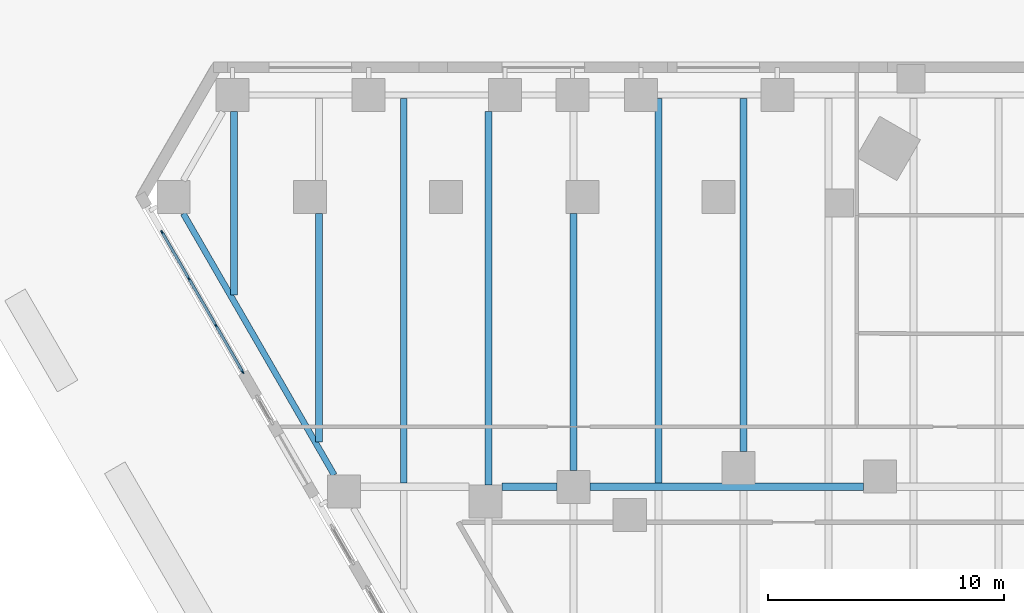
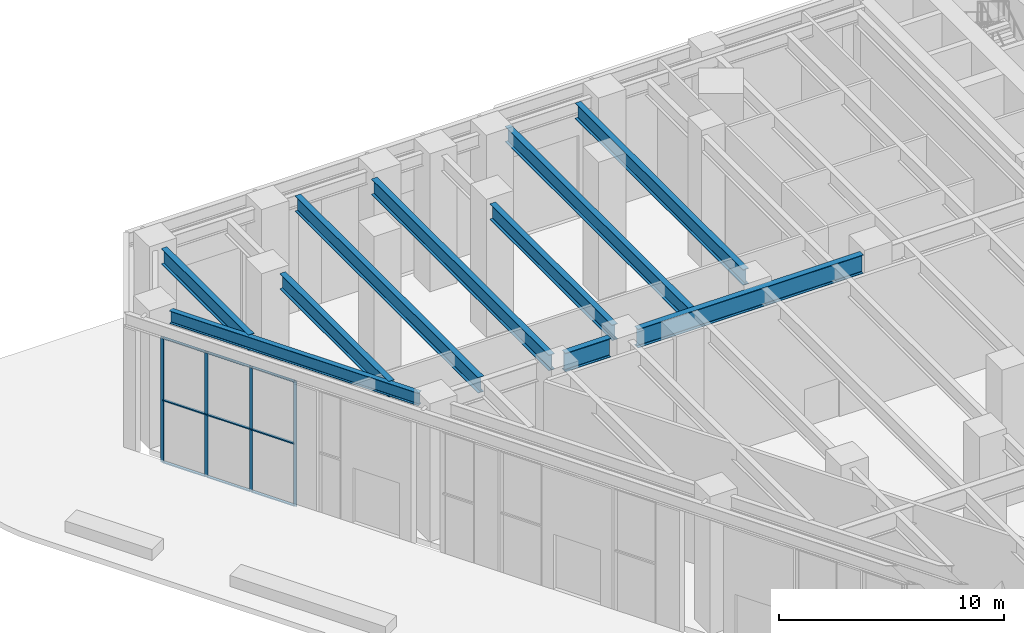
# One storey, part 12 of 37: 13 members, 10 beams, 1 element without a shape of its own.
"""IFC4 building model written with IfcOpenShell, lengths in metres."""

import ifcopenshell
import ifcopenshell.guid

model = None  # the IFC model being written
_history = None  # IfcOwnerHistory: only IFC2X3 demands one
_inside = {}  # id of a spatial element -> (the spatial element, [elements in it])
_under = {}  # id of a project, library or spatial element -> (it, [spatial elements below it])
_declared = {}  # id of a project -> (the project, [libraries it declares])
_typed = {}  # id of a type object -> (the type object, [elements of that type])
_made_of = {}  # id of a material, layer set ... -> (it, [elements and type objects made of it])


def new_model(schema):
    """Start an empty IFC model of exactly this schema.

    Asked for "IFC4X3", IfcOpenShell would pick the latest addendum, in which some entities
    have other attributes; the version numbers below select the first issue.
    IFC2X3 requires an IfcOwnerHistory on every rooted entity: one is made here for all.
    """
    global model, _history
    if schema == "IFC4X3":
        model = ifcopenshell.file(schema_version=(4, 3, 0, 0))
    else:
        model = ifcopenshell.file(schema=schema)
    _inside.clear()
    _under.clear()
    _declared.clear()
    _typed.clear()
    _made_of.clear()
    _history = None
    if model.schema == "IFC2X3":
        org = make("IfcOrganization", Name="unknown")
        user = make(
            "IfcPersonAndOrganization",
            ThePerson=make("IfcPerson", FamilyName="unknown"),
            TheOrganization=org,
        )
        app = make(
            "IfcApplication",
            ApplicationDeveloper=org,
            Version="unknown",
            ApplicationFullName="unknown",
            ApplicationIdentifier="unknown",
        )
        _history = make(
            "IfcOwnerHistory",
            OwningUser=user,
            OwningApplication=app,
            ChangeAction="ADDED",
            CreationDate=0,
        )
    return model


def make(cls, **values):
    """One entity of the class cls with the attributes given. An attribute that is None is left unset."""
    return model.create_entity(
        cls, **{name: value for name, value in values.items() if value is not None}
    )


def rooted(cls, **values):
    """An entity with a GlobalId (a new one), such as an element, a storey or a relation."""
    return make(cls, GlobalId=ifcopenshell.guid.new(), OwnerHistory=_history, **values)


def si_unit(unit_type, name, prefix=None):
    """IfcSIUnit, for example si_unit("LENGTHUNIT", "METRE", prefix="MILLI")."""
    return make("IfcSIUnit", UnitType=unit_type, Prefix=prefix, Name=name)


def assignment(units):
    """IfcUnitAssignment: the units of a project."""
    return None if units is None else make("IfcUnitAssignment", Units=units)


def point(xyz):
    """IfcCartesianPoint."""
    return None if xyz is None else make("IfcCartesianPoint", Coordinates=xyz)


def direction(xyz):
    """IfcDirection."""
    return None if xyz is None else make("IfcDirection", DirectionRatios=xyz)


def frame(location, z_axis=None, x_axis=None):
    """IfcAxis2Placement3D, a coordinate frame: its origin and axes. An axis left out is left unset."""
    return make(
        "IfcAxis2Placement3D",
        Location=point(location),
        Axis=direction(z_axis),
        RefDirection=direction(x_axis),
    )


def frame_2d(location, x_axis=None):
    """IfcAxis2Placement2D, a coordinate frame in the plane: its origin and x axis."""
    return make(
        "IfcAxis2Placement2D", Location=point(location), RefDirection=direction(x_axis)
    )


def origin():
    """The frame at (0, 0, 0) with its axes left unset."""
    return frame((0.0, 0.0, 0.0))


def origin_2d():
    """The frame at (0, 0) in the plane with its x axis left unset."""
    return frame_2d((0.0, 0.0))


def place(relative_to, where):
    """IfcLocalPlacement: puts the frame where relative to a parent placement (None: the world)."""
    return make(
        "IfcLocalPlacement", PlacementRelTo=relative_to, RelativePlacement=where
    )


def context(
    kind, dimensions, precision=None, world=None, true_north=None, identifier=None
):
    """IfcGeometricRepresentationContext, for example the 3D "Model" context."""
    return make(
        "IfcGeometricRepresentationContext",
        ContextIdentifier=identifier,
        ContextType=kind,
        CoordinateSpaceDimension=dimensions,
        Precision=precision,
        WorldCoordinateSystem=world,
        TrueNorth=true_north,
    )


def subcontext(parent, identifier, kind, view, scale=None):
    """IfcGeometricRepresentationSubContext, for example "Body" below "Model"."""
    return make(
        "IfcGeometricRepresentationSubContext",
        ContextIdentifier=identifier,
        ContextType=kind,
        ParentContext=parent,
        TargetScale=scale,
        TargetView=view,
    )


def project(units=None, contexts=None):
    """IfcProject with its units and contexts."""
    return rooted(
        "IfcProject",
        Name="project",
        RepresentationContexts=contexts,
        UnitsInContext=assignment(units),
    )


def spatial(cls, under=None, at=None, **own):
    """A site, building, storey or space (cls), placed at a placement, below another one or the project."""
    s = rooted(cls, ObjectPlacement=at, **own)
    if under is not None:
        _under.setdefault(under.id(), (under, []))[1].append(s)
    return s


def profile(cls, at=None, kind="AREA", **sizes):
    """A parametric profile (cls). Its sizes go by their IFC names, for example OverallWidth=200.0."""
    return make(cls, ProfileType=kind, Position=at, **sizes)


def rectangle(**sizes):
    """IfcRectangleProfileDef."""
    return profile("IfcRectangleProfileDef", **sizes)


def i_section(**sizes):
    """IfcIShapeProfileDef."""
    return profile("IfcIShapeProfileDef", **sizes)


def extrude(swept, where, along, depth):
    """IfcExtrudedAreaSolid: the profile swept, set in the frame where, extruded along a direction by depth."""
    return make(
        "IfcExtrudedAreaSolid",
        SweptArea=swept,
        Position=where,
        ExtrudedDirection=direction(along),
        Depth=depth,
    )


def shape(context_of_items, identifier, shape_type, items):
    """IfcShapeRepresentation: the items that make up one representation, for example the "Body"."""
    return make(
        "IfcShapeRepresentation",
        ContextOfItems=context_of_items,
        RepresentationIdentifier=identifier,
        RepresentationType=shape_type,
        Items=items,
    )


def material(Name=None, Category=None):
    """IfcMaterial."""
    return make("IfcMaterial", Name=Name, Category=Category)


def material_profile(
    of_material, cross_section, Name=None, Category=None, Priority=None
):
    """IfcMaterialProfile: a cross section and its material."""
    return make(
        "IfcMaterialProfile",
        Name=Name,
        Material=of_material,
        Profile=cross_section,
        Priority=Priority,
        Category=Category,
    )


def profile_set(profiles, Name=None, composite=None):
    """IfcMaterialProfileSet."""
    return make(
        "IfcMaterialProfileSet",
        Name=Name,
        MaterialProfiles=profiles,
        CompositeProfile=composite,
    )


def made_of(thing, what):
    """Note that an element or type object is made of a material, layer set ...; save() writes the relation."""
    if what is not None:
        _made_of.setdefault(what.id(), (what, []))[1].append(thing)
    return thing


def type_object(cls, material=None, **own):
    """A type object (cls), such as IfcWallType, which elements share."""
    return made_of(rooted(cls, **own), material)


def element(
    cls,
    number,
    at=None,
    inside=None,
    cuts=None,
    type_object=None,
    material=None,
    context=None,
    identifier="Body",
    shape_type=None,
    held_by="IfcProductDefinitionShape",
    body=None,
    shapes=None,
    **own,
):
    """One element of the class cls, such as IfcWall. Its Tag is "e" and its number.

    at: its placement. inside: the storey or other place that contains it. cuts: it is an
    opening in that element (IfcRelVoidsElement). A single representation is given by context,
    identifier, shape_type and body (its items); several are given by shapes. held_by: the class
    of the entity that holds the representations. save() writes the other relations.
    """
    e = rooted(cls, Tag="e%d" % number, ObjectPlacement=at, **own)
    if body is not None:
        shapes = [shape(context, identifier, shape_type, body)]
    if shapes is not None:
        e.Representation = make(held_by, Representations=shapes)
    if inside is not None:
        _inside.setdefault(inside.id(), (inside, []))[1].append(e)
    if cuts is not None:
        rooted(
            "IfcRelVoidsElement", RelatingBuildingElement=cuts, RelatedOpeningElement=e
        )
    if type_object is not None:
        _typed.setdefault(type_object.id(), (type_object, []))[1].append(e)
    return made_of(e, material)


def aggregate(whole, parts):
    """IfcRelAggregates: a whole, such as a stair, and the parts it consists of."""
    return rooted("IfcRelAggregates", RelatingObject=whole, RelatedObjects=parts)


def save(model, path):
    """Write the relations noted so far, then the file.

    IfcRelAggregates (storeys below a building ...), IfcRelContainedInSpatialStructure (elements
    in a storey), IfcRelDefinesByType, IfcRelAssociatesMaterial and IfcRelDeclares: one each for
    every whole, place, type object, material and project.
    """
    for whole, parts in _under.values():
        aggregate(whole, parts)
    for where, things in _inside.values():
        rooted(
            "IfcRelContainedInSpatialStructure",
            RelatedElements=things,
            RelatingStructure=where,
        )
    for kind, things in _typed.values():
        rooted("IfcRelDefinesByType", RelatedObjects=things, RelatingType=kind)
    for what, things in _made_of.values():
        rooted("IfcRelAssociatesMaterial", RelatedObjects=things, RelatingMaterial=what)
    for by, libraries in _declared.values():
        rooted("IfcRelDeclares", RelatingContext=by, RelatedDefinitions=libraries)
    model.write(path)


model = new_model("IFC4")

# Units and contexts
model_context = context("Model", 3, precision=1e-05, world=origin(), true_north=direction((0.0, 1.0)))
body_context = subcontext(model_context, "Body", "Model", "MODEL_VIEW")
ifc_project = project(units=[si_unit("LENGTHUNIT", "METRE"), si_unit("AREAUNIT", "SQUARE_METRE"), si_unit("VOLUMEUNIT", "CUBIC_METRE"), si_unit("PLANEANGLEUNIT", "RADIAN"), si_unit("MASSUNIT", "GRAM", prefix="KILO")], contexts=[model_context])

# Site, building, storey
site_placement = place(None, origin())
site = spatial("IfcSite", under=ifc_project, at=site_placement, CompositionType="ELEMENT")
building_placement = place(site_placement, origin())
building = spatial("IfcBuilding", under=site, at=building_placement, Name="Aloe Facet Convention Tower", CompositionType="ELEMENT")
storey_placement = place(building_placement, origin())
storey = spatial("IfcBuildingStorey", under=building, at=storey_placement, Name="L00", CompositionType="ELEMENT", Elevation=0.0)

# Curtain wall, members
ifc_material_1 = material(Name="Aluminium, anodised", Category="aluminium")
curtain_wall_type = type_object("IfcCurtainWallType", Name="EV-CW-SHOP", PredefinedType="USERDEFINED", material=ifc_material_1)
curtain_wall_placement = place(storey_placement, origin())
curtain_wall = element("IfcCurtainWall", 1, at=curtain_wall_placement, inside=storey, type_object=curtain_wall_type, Name="CW-L00-W02", ObjectType="STICK SHOPFRONT GLAZING", PredefinedType="USERDEFINED")
ifc_material_2 = material(Name="Aluminium, anodised", Category="aluminium")
ifc_material_profile_1 = material_profile(ifc_material_2, rectangle(XDim=0.06005859375, YDim=0.159912109375, at=origin_2d()), Name="AL 60x160")
ifc_profile_set_1 = profile_set([ifc_material_profile_1], Name="Aluminium, anodised")
member_type_1 = type_object("IfcMemberType", Name="EV-MULL-SHOP", PredefinedType="MULLION", material=ifc_profile_set_1)
member_1_placement = place(storey_placement, frame((26.558837890625, 127.783447265625, -0.300048828125), z_axis=(0.0, 0.0, 1.0), x_axis=(0.866025403828, 0.499999999924, 0.0)))
member_1 = element("IfcMember", 2, at=member_1_placement, type_object=member_type_1, Name="CW-L00-W02 mullion 1", PredefinedType="MULLION", context=body_context, shape_type="SweptSolid", body=[
    extrude(rectangle(XDim=0.06005859375, YDim=0.159912109375, at=origin_2d()), origin(), (0.0, 0.0, 1.0), 6.8125),
])
member_2_placement = place(storey_placement, frame((27.69189453125, 125.82080078125, -0.300048828125), z_axis=(0.0, 0.0, 1.0), x_axis=(0.866025403828, 0.499999999924, 0.0)))
member_2 = element("IfcMember", 3, at=member_2_placement, type_object=member_type_1, Name="CW-L00-W02 mullion 2", PredefinedType="MULLION", context=body_context, shape_type="SweptSolid", body=[
    extrude(rectangle(XDim=0.06005859375, YDim=0.159912109375, at=origin_2d()), origin(), (0.0, 0.0, 1.0), 6.8125),
])
member_3_placement = place(storey_placement, frame((28.83984375, 123.832275390625, -0.300048828125), z_axis=(0.0, 0.0, 1.0), x_axis=(0.866025403828, 0.499999999924, 0.0)))
member_3 = element("IfcMember", 4, at=member_3_placement, type_object=member_type_1, Name="CW-L00-W02 mullion 3", PredefinedType="MULLION", context=body_context, shape_type="SweptSolid", body=[
    extrude(rectangle(XDim=0.06005859375, YDim=0.159912109375, at=origin_2d()), origin(), (0.0, 0.0, 1.0), 6.8125),
])
member_4_placement = place(storey_placement, frame((29.97314453125, 121.869873046875, -0.300048828125), z_axis=(0.0, 0.0, 1.0), x_axis=(0.866025403828, 0.499999999924, 0.0)))
member_4 = element("IfcMember", 5, at=member_4_placement, type_object=member_type_1, Name="CW-L00-W02 mullion 4", PredefinedType="MULLION", context=body_context, shape_type="SweptSolid", body=[
    extrude(rectangle(XDim=0.06005859375, YDim=0.159912109375, at=origin_2d()), origin(), (0.0, 0.0, 1.0), 6.8125),
])
ifc_material_3 = material(Name="Aluminium, anodised", Category="aluminium")
ifc_material_profile_2 = material_profile(ifc_material_3, rectangle(XDim=0.1201171875, YDim=0.06005859375, at=origin_2d()), Name="AL 120x60")
ifc_profile_set_2 = profile_set([ifc_material_profile_2], Name="Aluminium, anodised")
member_type_2 = type_object("IfcMemberType", Name="EV-TRAN-SHOP", PredefinedType="USERDEFINED", material=ifc_profile_set_2)
member_5_placement = place(storey_placement, frame((26.57373046875, 127.75732421875, -0.27001953125), z_axis=(0.500102430372, -0.865966257504, 0.0), x_axis=(0.865966257504, 0.500102430372, 0.0)))
member_5 = element("IfcMember", 6, at=member_5_placement, type_object=member_type_2, Name="CW-L00-W02 transom 1.1", ObjectType="TRANSOM", PredefinedType="USERDEFINED", context=body_context, shape_type="SweptSolid", body=[
    extrude(rectangle(XDim=0.1201171875, YDim=0.06005859375, at=origin_2d()), origin(), (0.0, 0.0, 1.0), 2.2060546875),
])
member_6_placement = place(storey_placement, frame((26.57373046875, 127.75732421875, 3.106201171875), z_axis=(0.500102430372, -0.865966257504, 0.0), x_axis=(0.865966257504, 0.500102430372, 0.0)))
member_6 = element("IfcMember", 7, at=member_6_placement, type_object=member_type_2, Name="CW-L00-W02 transom 1.2", ObjectType="TRANSOM", PredefinedType="USERDEFINED", context=body_context, shape_type="SweptSolid", body=[
    extrude(rectangle(XDim=0.1201171875, YDim=0.06005859375, at=origin_2d()), origin(), (0.0, 0.0, 1.0), 2.2060546875),
])
member_7_placement = place(storey_placement, frame((26.57373046875, 127.75732421875, 6.482421875), z_axis=(0.500102430372, -0.865966257504, 0.0), x_axis=(0.865966257504, 0.500102430372, 0.0)))
member_7 = element("IfcMember", 8, at=member_7_placement, type_object=member_type_2, Name="CW-L00-W02 transom 1.3", ObjectType="TRANSOM", PredefinedType="USERDEFINED", context=body_context, shape_type="SweptSolid", body=[
    extrude(rectangle(XDim=0.1201171875, YDim=0.06005859375, at=origin_2d()), origin(), (0.0, 0.0, 1.0), 2.2060546875),
])
member_8_placement = place(storey_placement, frame((27.706787109375, 125.794921875, -0.27001953125), z_axis=(0.500037474894, -0.866003766563, 0.0), x_axis=(0.866003766563, 0.500037474894, 0.0)))
member_8 = element("IfcMember", 9, at=member_8_placement, type_object=member_type_2, Name="CW-L00-W02 transom 2.1", ObjectType="TRANSOM", PredefinedType="USERDEFINED", context=body_context, shape_type="SweptSolid", body=[
    extrude(rectangle(XDim=0.1201171875, YDim=0.06005859375, at=origin_2d()), origin(), (0.0, 0.0, 1.0), 2.236083984375),
])
member_9_placement = place(storey_placement, frame((27.706787109375, 125.794921875, 3.106201171875), z_axis=(0.500037474894, -0.866003766563, 0.0), x_axis=(0.866003766563, 0.500037474894, 0.0)))
member_9 = element("IfcMember", 10, at=member_9_placement, type_object=member_type_2, Name="CW-L00-W02 transom 2.2", ObjectType="TRANSOM", PredefinedType="USERDEFINED", context=body_context, shape_type="SweptSolid", body=[
    extrude(rectangle(XDim=0.1201171875, YDim=0.06005859375, at=origin_2d()), origin(), (0.0, 0.0, 1.0), 2.236083984375),
])
member_10_placement = place(storey_placement, frame((27.706787109375, 125.794921875, 6.482421875), z_axis=(0.500037474894, -0.866003766563, 0.0), x_axis=(0.866003766563, 0.500037474894, 0.0)))
member_10 = element("IfcMember", 11, at=member_10_placement, type_object=member_type_2, Name="CW-L00-W02 transom 2.3", ObjectType="TRANSOM", PredefinedType="USERDEFINED", context=body_context, shape_type="SweptSolid", body=[
    extrude(rectangle(XDim=0.1201171875, YDim=0.06005859375, at=origin_2d()), origin(), (0.0, 0.0, 1.0), 2.236083984375),
])
member_11_placement = place(storey_placement, frame((28.85498046875, 123.806396484375, -0.27001953125), z_axis=(0.499971514742, -0.866041849131, 0.0), x_axis=(0.866041849131, 0.499971514742, 0.0)))
member_11 = element("IfcMember", 12, at=member_11_placement, type_object=member_type_2, Name="CW-L00-W02 transom 3.1", ObjectType="TRANSOM", PredefinedType="USERDEFINED", context=body_context, shape_type="SweptSolid", body=[
    extrude(rectangle(XDim=0.1201171875, YDim=0.06005859375, at=origin_2d()), origin(), (0.0, 0.0, 1.0), 2.206298828125),
])
member_12_placement = place(storey_placement, frame((28.85498046875, 123.806396484375, 3.106201171875), z_axis=(0.499971514742, -0.866041849131, 0.0), x_axis=(0.866041849131, 0.499971514742, 0.0)))
member_12 = element("IfcMember", 13, at=member_12_placement, type_object=member_type_2, Name="CW-L00-W02 transom 3.2", ObjectType="TRANSOM", PredefinedType="USERDEFINED", context=body_context, shape_type="SweptSolid", body=[
    extrude(rectangle(XDim=0.1201171875, YDim=0.06005859375, at=origin_2d()), origin(), (0.0, 0.0, 1.0), 2.206298828125),
])
member_13_placement = place(storey_placement, frame((28.85498046875, 123.806396484375, 6.482421875), z_axis=(0.499971514742, -0.866041849131, 0.0), x_axis=(0.866041849131, 0.499971514742, 0.0)))
member_13 = element("IfcMember", 14, at=member_13_placement, type_object=member_type_2, Name="CW-L00-W02 transom 3.3", ObjectType="TRANSOM", PredefinedType="USERDEFINED", context=body_context, shape_type="SweptSolid", body=[
    extrude(rectangle(XDim=0.1201171875, YDim=0.06005859375, at=origin_2d()), origin(), (0.0, 0.0, 1.0), 2.206298828125),
])
aggregate(curtain_wall, [member_1, member_2, member_3, member_4, member_5, member_6, member_7, member_8, member_9, member_10, member_11, member_12, member_13])

# Beams
ifc_material_4 = material(Name="Steel S355", Category="steel")
ifc_material_profile_3 = material_profile(ifc_material_4, i_section(OverallWidth=0.305419921875, OverallDepth=1.02587890625, WebThickness=0.02001953125, FlangeThickness=0.031005859375, FilletRadius=0.030029296875, at=origin_2d()), Name="UB 1016x305x349")
ifc_profile_set_3 = profile_set([ifc_material_profile_3], Name="Steel S355")
beam_type_1 = type_object("IfcBeamType", Name="SF-B-UB1016x305x349", PredefinedType="BEAM", material=ifc_profile_set_3)
beam_1_placement = place(storey_placement, frame((40.969970703125, 117.0, 6.68701171875), z_axis=(1.0, 0.0, 0.0), x_axis=(0.0, 1.0, 0.0)))
element("IfcBeam", 15, at=beam_1_placement, inside=storey, type_object=beam_type_1, Name="Floor beam FB-L01-031", PredefinedType="BEAM", context=body_context, shape_type="SweptSolid", body=[
    extrude(i_section(OverallWidth=0.305419921875, OverallDepth=1.02587890625, WebThickness=0.02001953125, FlangeThickness=0.031005859375, FilletRadius=0.030029296875, at=origin_2d()), origin(), (0.0, 0.0, 1.0), 2.330078125),
])
beam_2_placement = place(storey_placement, frame((44.699951171875, 117.0, 6.68701171875), z_axis=(1.0, 0.0, 0.0), x_axis=(0.0, 1.0, 0.0)))
element("IfcBeam", 16, at=beam_2_placement, inside=storey, type_object=beam_type_1, Name="Floor beam FB-L01-033", PredefinedType="BEAM", context=body_context, shape_type="SweptSolid", body=[
    extrude(i_section(OverallWidth=0.305419921875, OverallDepth=1.02587890625, WebThickness=0.02001953125, FlangeThickness=0.031005859375, FilletRadius=0.030029296875, at=origin_2d()), origin(), (0.0, 0.0, 1.0), 11.583984375),
])
ifc_material_5 = material(Name="Steel S355", Category="steel")
ifc_material_profile_4 = material_profile(ifc_material_5, i_section(OverallWidth=0.25439453125, OverallDepth=0.6875, WebThickness=0.01318359375, FlangeThickness=0.02099609375, FilletRadius=0.01513671875, at=origin_2d()), Name="UB 686x254x152")
ifc_profile_set_4 = profile_set([ifc_material_profile_4], Name="Steel S355")
beam_type_2 = type_object("IfcBeamType", Name="SF-B-UB686x254x152", PredefinedType="BEAM", material=ifc_profile_set_4)
beam_3_placement = place(storey_placement, frame((33.853271484375, 117.4990234375, 6.856201171875), z_axis=(-0.499999833739, 0.866025499775, 0.0), x_axis=(-0.866025499775, -0.499999833739, 0.0)))
element("IfcBeam", 17, at=beam_3_placement, inside=storey, type_object=beam_type_2, Name="Floor beam FB-L01-003", PredefinedType="BEAM", context=body_context, shape_type="SweptSolid", body=[
    extrude(i_section(OverallWidth=0.25439453125, OverallDepth=0.6875, WebThickness=0.01318359375, FlangeThickness=0.02099609375, FilletRadius=0.01513671875, at=origin_2d()), origin(), (0.0, 0.0, 1.0), 12.7998046875),
])
ifc_material_6 = material(Name="Steel S355", Category="steel")
ifc_material_profile_5 = material_profile(ifc_material_6, i_section(OverallWidth=0.293701171875, OverallDepth=0.850830078125, WebThickness=0.01611328125, FlangeThickness=0.02685546875, FilletRadius=0.017822265625, at=origin_2d()), Name="UB 838x292x226")
ifc_profile_set_5 = profile_set([ifc_material_profile_5], Name="Steel S355")
beam_type_3 = type_object("IfcBeamType", Name="SF-B-UB838x292x226", PredefinedType="BEAM", material=ifc_profile_set_5)
beam_4_placement = place(storey_placement, frame((29.60009765625, 125.13037109375, 6.774658203125), z_axis=(0.0, 1.0, 0.0), x_axis=(-1.0, 0.0, 0.0)))
element("IfcBeam", 18, at=beam_4_placement, inside=storey, type_object=beam_type_3, Name="Floor beam FB-L01-052", PredefinedType="BEAM", context=body_context, shape_type="SweptSolid", body=[
    extrude(i_section(OverallWidth=0.293701171875, OverallDepth=0.850830078125, WebThickness=0.01611328125, FlangeThickness=0.02685546875, FilletRadius=0.017822265625, at=origin_2d()), origin(), (0.0, 0.0, 1.0), 7.76953125),
])
beam_5_placement = place(storey_placement, frame((33.199951171875, 118.89501953125, 6.774658203125), z_axis=(0.0, 1.0, 0.0), x_axis=(-1.0, 0.0, 0.0)))
element("IfcBeam", 19, at=beam_5_placement, inside=storey, type_object=beam_type_3, Name="Floor beam FB-L01-053", PredefinedType="BEAM", context=body_context, shape_type="SweptSolid", body=[
    extrude(i_section(OverallWidth=0.293701171875, OverallDepth=0.850830078125, WebThickness=0.01611328125, FlangeThickness=0.02685546875, FilletRadius=0.017822265625, at=origin_2d()), origin(), (0.0, 0.0, 1.0), 9.68896484375),
])
beam_6_placement = place(storey_placement, frame((36.800048828125, 117.152587890625, 6.774658203125), z_axis=(0.0, 1.0, 0.0), x_axis=(-1.0, 0.0, 0.0)))
element("IfcBeam", 20, at=beam_6_placement, inside=storey, type_object=beam_type_3, Name="Floor beam FB-L01-056", PredefinedType="BEAM", context=body_context, shape_type="SweptSolid", body=[
    extrude(i_section(OverallWidth=0.293701171875, OverallDepth=0.850830078125, WebThickness=0.01611328125, FlangeThickness=0.02685546875, FilletRadius=0.017822265625, at=origin_2d()), origin(), (0.0, 0.0, 1.0), 16.31005859375),
])
beam_7_placement = place(storey_placement, frame((40.39990234375, 117.0849609375, 6.774658203125), z_axis=(0.0, 1.0, 0.0), x_axis=(-1.0, 0.0, 0.0)))
element("IfcBeam", 21, at=beam_7_placement, inside=storey, type_object=beam_type_3, Name="Floor beam FB-L01-058", PredefinedType="BEAM", context=body_context, shape_type="SweptSolid", body=[
    extrude(i_section(OverallWidth=0.293701171875, OverallDepth=0.850830078125, WebThickness=0.01611328125, FlangeThickness=0.02685546875, FilletRadius=0.017822265625, at=origin_2d()), origin(), (0.0, 0.0, 1.0), 15.81494140625),
])
beam_8_placement = place(storey_placement, frame((44.0, 117.699951171875, 6.774658203125), z_axis=(0.0, 1.0, 0.0), x_axis=(-1.0, 0.0, 0.0)))
element("IfcBeam", 22, at=beam_8_placement, inside=storey, type_object=beam_type_3, Name="Floor beam FB-L01-060", PredefinedType="BEAM", context=body_context, shape_type="SweptSolid", body=[
    extrude(i_section(OverallWidth=0.293701171875, OverallDepth=0.850830078125, WebThickness=0.01611328125, FlangeThickness=0.02685546875, FilletRadius=0.017822265625, at=origin_2d()), origin(), (0.0, 0.0, 1.0), 10.884033203125),
])
beam_9_placement = place(storey_placement, frame((47.60009765625, 117.152587890625, 6.774658203125), z_axis=(0.0, 1.0, 0.0), x_axis=(-1.0, 0.0, 0.0)))
element("IfcBeam", 23, at=beam_9_placement, inside=storey, type_object=beam_type_3, Name="Floor beam FB-L01-065", PredefinedType="BEAM", context=body_context, shape_type="SweptSolid", body=[
    extrude(i_section(OverallWidth=0.293701171875, OverallDepth=0.850830078125, WebThickness=0.01611328125, FlangeThickness=0.02685546875, FilletRadius=0.017822265625, at=origin_2d()), origin(), (0.0, 0.0, 1.0), 16.31005859375),
])
beam_10_placement = place(storey_placement, frame((51.199951171875, 118.5048828125, 6.774658203125), z_axis=(0.0, 1.0, 0.0), x_axis=(-1.0, 0.0, 0.0)))
element("IfcBeam", 24, at=beam_10_placement, inside=storey, type_object=beam_type_3, Name="Floor beam FB-L01-068", PredefinedType="BEAM", context=body_context, shape_type="SweptSolid", body=[
    extrude(i_section(OverallWidth=0.293701171875, OverallDepth=0.850830078125, WebThickness=0.01611328125, FlangeThickness=0.02685546875, FilletRadius=0.017822265625, at=origin_2d()), origin(), (0.0, 0.0, 1.0), 14.957763671875),
])

save(model, "model.ifc")
